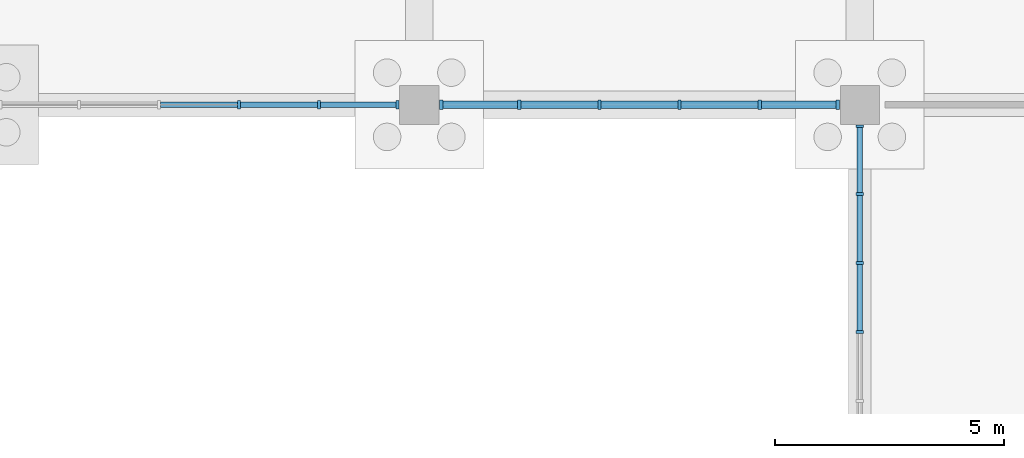
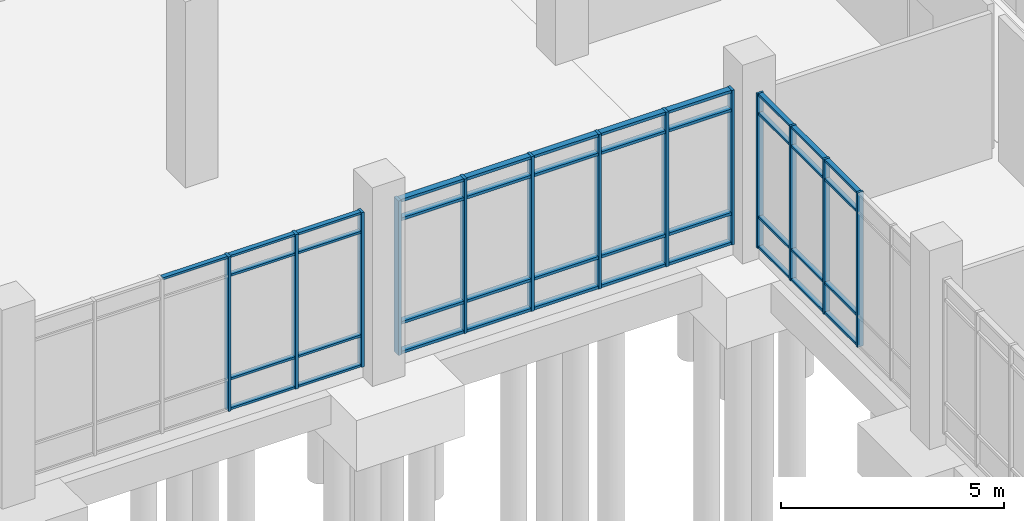
# One storey, part 44 of 136: 54 members, 3 elements without a shape of their own.
"""IFC4 building model written with IfcOpenShell, lengths in metres."""

from ifc_helpers import new_model, si_unit, direction, frame, origin, origin_2d, place, context, subcontext, project, spatial, rectangle, extrude, material, material_profile, profile_set, type_object, element, aggregate, save


model = new_model("IFC4")

# Units and contexts
model_context = context("Model", 3, precision=1e-05, world=origin(), true_north=direction((0.0, 1.0)))
body_context = subcontext(model_context, "Body", "Model", "MODEL_VIEW")
ifc_project = project(units=[si_unit("LENGTHUNIT", "METRE"), si_unit("AREAUNIT", "SQUARE_METRE"), si_unit("VOLUMEUNIT", "CUBIC_METRE"), si_unit("PLANEANGLEUNIT", "RADIAN"), si_unit("MASSUNIT", "GRAM", prefix="KILO")], contexts=[model_context])

# Site, building, storey
site_placement = place(None, origin())
site = spatial("IfcSite", under=ifc_project, at=site_placement, CompositionType="ELEMENT")
building_placement = place(site_placement, origin())
building = spatial("IfcBuilding", under=site, at=building_placement, Name="Oolite Switchyard Hospital", CompositionType="ELEMENT")
storey_placement = place(building_placement, origin())
storey = spatial("IfcBuildingStorey", under=building, at=storey_placement, Name="L00", CompositionType="ELEMENT", Elevation=0.0)

# Curtain wall, members
ifc_material_1 = material(Name="Thermally broken aluminum frame with laminated impact glazing", Category="aluminium")
curtain_wall_type_1 = type_object("IfcCurtainWallType", Name="CW-UNIT-84X51", PredefinedType="USERDEFINED", material=ifc_material_1)
curtain_wall_1_placement = place(storey_placement, origin())
curtain_wall_1 = element("IfcCurtainWall", 1, at=curtain_wall_1_placement, inside=storey, type_object=curtain_wall_type_1, Name="L00 Unitised Curtain Wall 72", ObjectType="UNITISED", PredefinedType="USERDEFINED")
ifc_material_2 = material(Name="Aluminium 6063-T6", Category="aluminium")
ifc_material_profile_1 = material_profile(ifc_material_2, rectangle(XDim=0.159912109375, YDim=0.06005859375, at=origin_2d()), Name="CWM60X160")
ifc_profile_set_1 = profile_set([ifc_material_profile_1], Name="Aluminium 6063-T6")
member_type_1 = type_object("IfcMemberType", Name="CW-MUL-180", PredefinedType="MULLION", material=ifc_profile_set_1)
member_1_placement = place(storey_placement, frame((115.199951171875, 79.048095703125, 0.0), z_axis=(0.0, 0.0, 1.0), x_axis=(-1.0, 0.0, 0.0)))
member_1 = element("IfcMember", 2, at=member_1_placement, type_object=member_type_1, Name="CW-06 mullion 3", PredefinedType="MULLION", context=body_context, shape_type="SweptSolid", body=[
    extrude(rectangle(XDim=0.159912109375, YDim=0.06005859375, at=origin_2d()), origin(), (0.0, 0.0, 1.0), 4.239990234375),
])
member_2_placement = place(storey_placement, frame((115.199951171875, 80.552001953125, 0.0), z_axis=(0.0, 0.0, 1.0), x_axis=(-1.0, 0.0, 0.0)))
member_2 = element("IfcMember", 3, at=member_2_placement, type_object=member_type_1, Name="CW-06 mullion 4", PredefinedType="MULLION", context=body_context, shape_type="SweptSolid", body=[
    extrude(rectangle(XDim=0.159912109375, YDim=0.06005859375, at=origin_2d()), origin(), (0.0, 0.0, 1.0), 4.239990234375),
])
member_3_placement = place(storey_placement, frame((115.199951171875, 82.055908203125, 0.0), z_axis=(0.0, 0.0, 1.0), x_axis=(-1.0, 0.0, 0.0)))
member_3 = element("IfcMember", 4, at=member_3_placement, type_object=member_type_1, Name="CW-06 mullion 5", PredefinedType="MULLION", context=body_context, shape_type="SweptSolid", body=[
    extrude(rectangle(XDim=0.159912109375, YDim=0.06005859375, at=origin_2d()), origin(), (0.0, 0.0, 1.0), 4.239990234375),
])
member_4_placement = place(storey_placement, frame((115.199951171875, 83.530029296875, 0.0), z_axis=(0.0, 0.0, 1.0), x_axis=(-1.0, 0.0, 0.0)))
member_4 = element("IfcMember", 5, at=member_4_placement, type_object=member_type_1, Name="CW-06 mullion 6", PredefinedType="MULLION", context=body_context, shape_type="SweptSolid", body=[
    extrude(rectangle(XDim=0.159912109375, YDim=0.06005859375, at=origin_2d()), origin(), (0.0, 0.0, 1.0), 4.239990234375),
])

curtain_wall_type_2 = type_object("IfcCurtainWallType", Name="CW-UNIT-96X51", PredefinedType="USERDEFINED", material=ifc_material_1)
curtain_wall_2_placement = place(storey_placement, origin())
curtain_wall_2 = element("IfcCurtainWall", 6, at=curtain_wall_2_placement, inside=storey, type_object=curtain_wall_type_2, Name="L00 Unitised Curtain Wall 34", ObjectType="UNITISED", PredefinedType="USERDEFINED")
ifc_material_profile_2 = material_profile(ifc_material_2, rectangle(XDim=0.179931640625, YDim=0.070068359375, at=origin_2d()), Name="CWM70X180")
ifc_profile_set_2 = profile_set([ifc_material_profile_2], Name="Aluminium 6063-T6")
member_type_2 = type_object("IfcMemberType", Name="CW-MUL-220", PredefinedType="MULLION", material=ifc_profile_set_2)
member_5_placement = place(storey_placement, frame((105.125, 84.0, 0.0), z_axis=(0.0, 0.0, 1.0), x_axis=(0.0, -1.0, 0.0)))
member_5 = element("IfcMember", 7, at=member_5_placement, type_object=member_type_2, Name="CW-01 mullion 1", PredefinedType="MULLION", context=body_context, shape_type="SweptSolid", body=[
    extrude(rectangle(XDim=0.179931640625, YDim=0.070068359375, at=origin_2d()), origin(), (0.0, 0.0, 1.0), 4.239990234375),
])
member_6_placement = place(storey_placement, frame((103.416015625, 84.0, 0.0), z_axis=(0.0, 0.0, 1.0), x_axis=(0.0, -1.0, 0.0)))
member_6 = element("IfcMember", 8, at=member_6_placement, type_object=member_type_2, Name="CW-01 mullion 2", PredefinedType="MULLION", context=body_context, shape_type="SweptSolid", body=[
    extrude(rectangle(XDim=0.179931640625, YDim=0.070068359375, at=origin_2d()), origin(), (0.0, 0.0, 1.0), 4.239990234375),
])
member_7_placement = place(storey_placement, frame((101.672119140625, 84.0, 0.0), z_axis=(0.0, 0.0, 1.0), x_axis=(0.0, -1.0, 0.0)))
member_7 = element("IfcMember", 9, at=member_7_placement, type_object=member_type_2, Name="CW-01 mullion 3", PredefinedType="MULLION", context=body_context, shape_type="SweptSolid", body=[
    extrude(rectangle(XDim=0.179931640625, YDim=0.070068359375, at=origin_2d()), origin(), (0.0, 0.0, 1.0), 4.239990234375),
])

curtain_wall_3_placement = place(storey_placement, origin())
curtain_wall_3 = element("IfcCurtainWall", 10, at=curtain_wall_3_placement, inside=storey, type_object=curtain_wall_type_2, Name="L00 Unitised Curtain Wall 35", ObjectType="UNITISED", PredefinedType="USERDEFINED")
ifc_material_profile_3 = material_profile(ifc_material_2, rectangle(XDim=0.199951171875, YDim=0.074951171875, at=origin_2d()), Name="CWM75X200")
ifc_profile_set_3 = profile_set([ifc_material_profile_3], Name="Aluminium 6063-T6")
member_type_3 = type_object("IfcMemberType", Name="CW-MUL-260", PredefinedType="MULLION", material=ifc_profile_set_3)
member_8_placement = place(storey_placement, frame((114.722412109375, 84.0, 0.0), z_axis=(0.0, 0.0, 1.0), x_axis=(0.0, -1.0, 0.0)))
member_8 = element("IfcMember", 11, at=member_8_placement, type_object=member_type_3, Name="CW-01 mullion 1", PredefinedType="MULLION", context=body_context, shape_type="SweptSolid", body=[
    extrude(rectangle(XDim=0.199951171875, YDim=0.074951171875, at=origin_2d()), origin(), (0.0, 0.0, 1.0), 4.239990234375),
])
member_9_placement = place(storey_placement, frame((113.01611328125, 84.0, 0.0), z_axis=(0.0, 0.0, 1.0), x_axis=(0.0, -1.0, 0.0)))
member_9 = element("IfcMember", 12, at=member_9_placement, type_object=member_type_3, Name="CW-01 mullion 2", PredefinedType="MULLION", context=body_context, shape_type="SweptSolid", body=[
    extrude(rectangle(XDim=0.199951171875, YDim=0.074951171875, at=origin_2d()), origin(), (0.0, 0.0, 1.0), 4.239990234375),
])
member_10_placement = place(storey_placement, frame((111.27197265625, 84.0, 0.0), z_axis=(0.0, 0.0, 1.0), x_axis=(0.0, -1.0, 0.0)))
member_10 = element("IfcMember", 13, at=member_10_placement, type_object=member_type_3, Name="CW-01 mullion 3", PredefinedType="MULLION", context=body_context, shape_type="SweptSolid", body=[
    extrude(rectangle(XDim=0.199951171875, YDim=0.074951171875, at=origin_2d()), origin(), (0.0, 0.0, 1.0), 4.239990234375),
])
member_11_placement = place(storey_placement, frame((109.528076171875, 84.0, 0.0), z_axis=(0.0, 0.0, 1.0), x_axis=(0.0, -1.0, 0.0)))
member_11 = element("IfcMember", 14, at=member_11_placement, type_object=member_type_3, Name="CW-01 mullion 4", PredefinedType="MULLION", context=body_context, shape_type="SweptSolid", body=[
    extrude(rectangle(XDim=0.199951171875, YDim=0.074951171875, at=origin_2d()), origin(), (0.0, 0.0, 1.0), 4.239990234375),
])
member_12_placement = place(storey_placement, frame((107.783935546875, 84.0, 0.0), z_axis=(0.0, 0.0, 1.0), x_axis=(0.0, -1.0, 0.0)))
member_12 = element("IfcMember", 15, at=member_12_placement, type_object=member_type_3, Name="CW-01 mullion 5", PredefinedType="MULLION", context=body_context, shape_type="SweptSolid", body=[
    extrude(rectangle(XDim=0.199951171875, YDim=0.074951171875, at=origin_2d()), origin(), (0.0, 0.0, 1.0), 4.239990234375),
])
member_13_placement = place(storey_placement, frame((106.077392578125, 84.0, 0.0), z_axis=(0.0, 0.0, 1.0), x_axis=(0.0, -1.0, 0.0)))
member_13 = element("IfcMember", 16, at=member_13_placement, type_object=member_type_3, Name="CW-01 mullion 6", PredefinedType="MULLION", context=body_context, shape_type="SweptSolid", body=[
    extrude(rectangle(XDim=0.199951171875, YDim=0.074951171875, at=origin_2d()), origin(), (0.0, 0.0, 1.0), 4.239990234375),
])

# Member
ifc_material_profile_4 = material_profile(ifc_material_2, rectangle(XDim=0.1201171875, YDim=0.06005859375, at=origin_2d()), Name="CWT60X120")
ifc_profile_set_4 = profile_set([ifc_material_profile_4], Name="Aluminium 6063-T6")
member_type_4 = type_object("IfcMemberType", Name="CW-TRN-150", PredefinedType="USERDEFINED", material=ifc_profile_set_4)
member_14_placement = place(storey_placement, frame((105.090087890625, 84.0, 0.030029296875), z_axis=(-1.0, 0.0, 0.0), x_axis=(0.0, -1.0, 0.0)))
member_14 = element("IfcMember", 17, at=member_14_placement, type_object=member_type_4, Name="CW-01 transom 1.1", ObjectType="TRANSOM", PredefinedType="USERDEFINED", context=body_context, shape_type="SweptSolid", body=[
    extrude(rectangle(XDim=0.1201171875, YDim=0.06005859375, at=origin_2d()), origin(), (0.0, 0.0, 1.0), 1.63916015625),
])

member_15_placement = place(storey_placement, frame((105.090087890625, 84.0, 0.85009765625), z_axis=(-1.0, 0.0, 0.0), x_axis=(0.0, -1.0, 0.0)))
member_15 = element("IfcMember", 18, at=member_15_placement, type_object=member_type_4, Name="CW-01 transom 1.2", ObjectType="TRANSOM", PredefinedType="USERDEFINED", context=body_context, shape_type="SweptSolid", body=[
    extrude(rectangle(XDim=0.1201171875, YDim=0.06005859375, at=origin_2d()), origin(), (0.0, 0.0, 1.0), 1.63916015625),
])

member_16_placement = place(storey_placement, frame((105.090087890625, 84.0, 3.68994140625), z_axis=(-1.0, 0.0, 0.0), x_axis=(0.0, -1.0, 0.0)))
member_16 = element("IfcMember", 19, at=member_16_placement, type_object=member_type_4, Name="CW-01 transom 1.3", ObjectType="TRANSOM", PredefinedType="USERDEFINED", context=body_context, shape_type="SweptSolid", body=[
    extrude(rectangle(XDim=0.1201171875, YDim=0.06005859375, at=origin_2d()), origin(), (0.0, 0.0, 1.0), 1.63916015625),
])

member_17_placement = place(storey_placement, frame((105.090087890625, 84.0, 4.2099609375), z_axis=(-1.0, 0.0, 0.0), x_axis=(0.0, -1.0, 0.0)))
member_17 = element("IfcMember", 20, at=member_17_placement, type_object=member_type_4, Name="CW-01 transom 1.4", ObjectType="TRANSOM", PredefinedType="USERDEFINED", context=body_context, shape_type="SweptSolid", body=[
    extrude(rectangle(XDim=0.1201171875, YDim=0.06005859375, at=origin_2d()), origin(), (0.0, 0.0, 1.0), 1.63916015625),
])

member_18_placement = place(storey_placement, frame((103.381103515625, 84.0, 0.030029296875), z_axis=(-1.0, 0.0, 0.0), x_axis=(0.0, -1.0, 0.0)))
member_18 = element("IfcMember", 21, at=member_18_placement, type_object=member_type_4, Name="CW-01 transom 2.1", ObjectType="TRANSOM", PredefinedType="USERDEFINED", context=body_context, shape_type="SweptSolid", body=[
    extrude(rectangle(XDim=0.1201171875, YDim=0.06005859375, at=origin_2d()), origin(), (0.0, 0.0, 1.0), 1.674072265625),
])

member_19_placement = place(storey_placement, frame((103.381103515625, 84.0, 0.85009765625), z_axis=(-1.0, 0.0, 0.0), x_axis=(0.0, -1.0, 0.0)))
member_19 = element("IfcMember", 22, at=member_19_placement, type_object=member_type_4, Name="CW-01 transom 2.2", ObjectType="TRANSOM", PredefinedType="USERDEFINED", context=body_context, shape_type="SweptSolid", body=[
    extrude(rectangle(XDim=0.1201171875, YDim=0.06005859375, at=origin_2d()), origin(), (0.0, 0.0, 1.0), 1.674072265625),
])

member_20_placement = place(storey_placement, frame((103.381103515625, 84.0, 3.68994140625), z_axis=(-1.0, 0.0, 0.0), x_axis=(0.0, -1.0, 0.0)))
member_20 = element("IfcMember", 23, at=member_20_placement, type_object=member_type_4, Name="CW-01 transom 2.3", ObjectType="TRANSOM", PredefinedType="USERDEFINED", context=body_context, shape_type="SweptSolid", body=[
    extrude(rectangle(XDim=0.1201171875, YDim=0.06005859375, at=origin_2d()), origin(), (0.0, 0.0, 1.0), 1.674072265625),
])

member_21_placement = place(storey_placement, frame((103.381103515625, 84.0, 4.2099609375), z_axis=(-1.0, 0.0, 0.0), x_axis=(0.0, -1.0, 0.0)))
member_21 = element("IfcMember", 24, at=member_21_placement, type_object=member_type_4, Name="CW-01 transom 2.4", ObjectType="TRANSOM", PredefinedType="USERDEFINED", context=body_context, shape_type="SweptSolid", body=[
    extrude(rectangle(XDim=0.1201171875, YDim=0.06005859375, at=origin_2d()), origin(), (0.0, 0.0, 1.0), 1.674072265625),
])

member_22_placement = place(storey_placement, frame((101.636962890625, 84.0, 4.2099609375), z_axis=(-1.0, 0.0, 0.0), x_axis=(0.0, -1.0, 0.0)))
member_22 = element("IfcMember", 25, at=member_22_placement, type_object=member_type_4, Name="CW-01 transom 3.4", ObjectType="TRANSOM", PredefinedType="USERDEFINED", context=body_context, shape_type="SweptSolid", body=[
    extrude(rectangle(XDim=0.1201171875, YDim=0.06005859375, at=origin_2d()), origin(), (0.0, 0.0, 1.0), 1.674072265625),
])

aggregate(curtain_wall_2, [member_5, member_6, member_7, member_14, member_15, member_16, member_17, member_18, member_19, member_20, member_21, member_22])

member_23_placement = place(storey_placement, frame((115.199951171875, 79.077880859375, 0.030029296875), z_axis=(0.0, 1.0, 0.0), x_axis=(-1.0, 0.0, 0.0)))
member_23 = element("IfcMember", 26, at=member_23_placement, type_object=member_type_4, Name="CW-06 transom 3.1", ObjectType="TRANSOM", PredefinedType="USERDEFINED", context=body_context, shape_type="SweptSolid", body=[
    extrude(rectangle(XDim=0.1201171875, YDim=0.06005859375, at=origin_2d()), origin(), (0.0, 0.0, 1.0), 1.444091796875),
])

member_24_placement = place(storey_placement, frame((115.199951171875, 79.077880859375, 0.85009765625), z_axis=(0.0, 1.0, 0.0), x_axis=(-1.0, 0.0, 0.0)))
member_24 = element("IfcMember", 27, at=member_24_placement, type_object=member_type_4, Name="CW-06 transom 3.2", ObjectType="TRANSOM", PredefinedType="USERDEFINED", context=body_context, shape_type="SweptSolid", body=[
    extrude(rectangle(XDim=0.1201171875, YDim=0.06005859375, at=origin_2d()), origin(), (0.0, 0.0, 1.0), 1.444091796875),
])

member_25_placement = place(storey_placement, frame((115.199951171875, 79.077880859375, 3.68994140625), z_axis=(0.0, 1.0, 0.0), x_axis=(-1.0, 0.0, 0.0)))
member_25 = element("IfcMember", 28, at=member_25_placement, type_object=member_type_4, Name="CW-06 transom 3.3", ObjectType="TRANSOM", PredefinedType="USERDEFINED", context=body_context, shape_type="SweptSolid", body=[
    extrude(rectangle(XDim=0.1201171875, YDim=0.06005859375, at=origin_2d()), origin(), (0.0, 0.0, 1.0), 1.444091796875),
])

member_26_placement = place(storey_placement, frame((115.199951171875, 79.077880859375, 4.2099609375), z_axis=(0.0, 1.0, 0.0), x_axis=(-1.0, 0.0, 0.0)))
member_26 = element("IfcMember", 29, at=member_26_placement, type_object=member_type_4, Name="CW-06 transom 3.4", ObjectType="TRANSOM", PredefinedType="USERDEFINED", context=body_context, shape_type="SweptSolid", body=[
    extrude(rectangle(XDim=0.1201171875, YDim=0.06005859375, at=origin_2d()), origin(), (0.0, 0.0, 1.0), 1.444091796875),
])

member_27_placement = place(storey_placement, frame((115.199951171875, 80.58203125, 0.030029296875), z_axis=(0.0, 1.0, 0.0), x_axis=(-1.0, 0.0, 0.0)))
member_27 = element("IfcMember", 30, at=member_27_placement, type_object=member_type_4, Name="CW-06 transom 4.1", ObjectType="TRANSOM", PredefinedType="USERDEFINED", context=body_context, shape_type="SweptSolid", body=[
    extrude(rectangle(XDim=0.1201171875, YDim=0.06005859375, at=origin_2d()), origin(), (0.0, 0.0, 1.0), 1.44384765625),
])

member_28_placement = place(storey_placement, frame((115.199951171875, 80.58203125, 0.85009765625), z_axis=(0.0, 1.0, 0.0), x_axis=(-1.0, 0.0, 0.0)))
member_28 = element("IfcMember", 31, at=member_28_placement, type_object=member_type_4, Name="CW-06 transom 4.2", ObjectType="TRANSOM", PredefinedType="USERDEFINED", context=body_context, shape_type="SweptSolid", body=[
    extrude(rectangle(XDim=0.1201171875, YDim=0.06005859375, at=origin_2d()), origin(), (0.0, 0.0, 1.0), 1.44384765625),
])

member_29_placement = place(storey_placement, frame((115.199951171875, 80.58203125, 3.68994140625), z_axis=(0.0, 1.0, 0.0), x_axis=(-1.0, 0.0, 0.0)))
member_29 = element("IfcMember", 32, at=member_29_placement, type_object=member_type_4, Name="CW-06 transom 4.3", ObjectType="TRANSOM", PredefinedType="USERDEFINED", context=body_context, shape_type="SweptSolid", body=[
    extrude(rectangle(XDim=0.1201171875, YDim=0.06005859375, at=origin_2d()), origin(), (0.0, 0.0, 1.0), 1.44384765625),
])

member_30_placement = place(storey_placement, frame((115.199951171875, 80.58203125, 4.2099609375), z_axis=(0.0, 1.0, 0.0), x_axis=(-1.0, 0.0, 0.0)))
member_30 = element("IfcMember", 33, at=member_30_placement, type_object=member_type_4, Name="CW-06 transom 4.4", ObjectType="TRANSOM", PredefinedType="USERDEFINED", context=body_context, shape_type="SweptSolid", body=[
    extrude(rectangle(XDim=0.1201171875, YDim=0.06005859375, at=origin_2d()), origin(), (0.0, 0.0, 1.0), 1.44384765625),
])

member_31_placement = place(storey_placement, frame((115.199951171875, 82.0859375, 0.030029296875), z_axis=(0.0, 1.0, 0.0), x_axis=(-1.0, 0.0, 0.0)))
member_31 = element("IfcMember", 34, at=member_31_placement, type_object=member_type_4, Name="CW-06 transom 5.1", ObjectType="TRANSOM", PredefinedType="USERDEFINED", context=body_context, shape_type="SweptSolid", body=[
    extrude(rectangle(XDim=0.1201171875, YDim=0.06005859375, at=origin_2d()), origin(), (0.0, 0.0, 1.0), 1.4140625),
])

member_32_placement = place(storey_placement, frame((115.199951171875, 82.0859375, 0.85009765625), z_axis=(0.0, 1.0, 0.0), x_axis=(-1.0, 0.0, 0.0)))
member_32 = element("IfcMember", 35, at=member_32_placement, type_object=member_type_4, Name="CW-06 transom 5.2", ObjectType="TRANSOM", PredefinedType="USERDEFINED", context=body_context, shape_type="SweptSolid", body=[
    extrude(rectangle(XDim=0.1201171875, YDim=0.06005859375, at=origin_2d()), origin(), (0.0, 0.0, 1.0), 1.4140625),
])

member_33_placement = place(storey_placement, frame((115.199951171875, 82.0859375, 3.68994140625), z_axis=(0.0, 1.0, 0.0), x_axis=(-1.0, 0.0, 0.0)))
member_33 = element("IfcMember", 36, at=member_33_placement, type_object=member_type_4, Name="CW-06 transom 5.3", ObjectType="TRANSOM", PredefinedType="USERDEFINED", context=body_context, shape_type="SweptSolid", body=[
    extrude(rectangle(XDim=0.1201171875, YDim=0.06005859375, at=origin_2d()), origin(), (0.0, 0.0, 1.0), 1.4140625),
])

member_34_placement = place(storey_placement, frame((115.199951171875, 82.0859375, 4.2099609375), z_axis=(0.0, 1.0, 0.0), x_axis=(-1.0, 0.0, 0.0)))
member_34 = element("IfcMember", 37, at=member_34_placement, type_object=member_type_4, Name="CW-06 transom 5.4", ObjectType="TRANSOM", PredefinedType="USERDEFINED", context=body_context, shape_type="SweptSolid", body=[
    extrude(rectangle(XDim=0.1201171875, YDim=0.06005859375, at=origin_2d()), origin(), (0.0, 0.0, 1.0), 1.4140625),
])

aggregate(curtain_wall_1, [member_1, member_2, member_3, member_4, member_23, member_24, member_25, member_26, member_27, member_28, member_29, member_30, member_31, member_32, member_33, member_34])

ifc_material_profile_5 = material_profile(ifc_material_2, rectangle(XDim=0.159912109375, YDim=0.074951171875, at=origin_2d()), Name="CWT75X160")
ifc_profile_set_5 = profile_set([ifc_material_profile_5], Name="Aluminium 6063-T6")
member_type_5 = type_object("IfcMemberType", Name="CW-TRN-180", PredefinedType="USERDEFINED", material=ifc_profile_set_5)
member_35_placement = place(storey_placement, frame((114.68505859375, 84.0, 0.03759765625), z_axis=(-1.0, 0.0, 0.0), x_axis=(0.0, -1.0, 0.0)))
member_35 = element("IfcMember", 38, at=member_35_placement, type_object=member_type_5, Name="CW-01 transom 1.1", ObjectType="TRANSOM", PredefinedType="USERDEFINED", context=body_context, shape_type="SweptSolid", body=[
    extrude(rectangle(XDim=0.159912109375, YDim=0.074951171875, at=origin_2d()), origin(), (0.0, 0.0, 1.0), 1.631591796875),
])

member_36_placement = place(storey_placement, frame((114.68505859375, 84.0, 0.85009765625), z_axis=(-1.0, 0.0, 0.0), x_axis=(0.0, -1.0, 0.0)))
member_36 = element("IfcMember", 39, at=member_36_placement, type_object=member_type_5, Name="CW-01 transom 1.2", ObjectType="TRANSOM", PredefinedType="USERDEFINED", context=body_context, shape_type="SweptSolid", body=[
    extrude(rectangle(XDim=0.159912109375, YDim=0.074951171875, at=origin_2d()), origin(), (0.0, 0.0, 1.0), 1.631591796875),
])

member_37_placement = place(storey_placement, frame((114.68505859375, 84.0, 3.68994140625), z_axis=(-1.0, 0.0, 0.0), x_axis=(0.0, -1.0, 0.0)))
member_37 = element("IfcMember", 40, at=member_37_placement, type_object=member_type_5, Name="CW-01 transom 1.3", ObjectType="TRANSOM", PredefinedType="USERDEFINED", context=body_context, shape_type="SweptSolid", body=[
    extrude(rectangle(XDim=0.159912109375, YDim=0.074951171875, at=origin_2d()), origin(), (0.0, 0.0, 1.0), 1.631591796875),
])

member_38_placement = place(storey_placement, frame((114.68505859375, 84.0, 4.202392578125), z_axis=(-1.0, 0.0, 0.0), x_axis=(0.0, -1.0, 0.0)))
member_38 = element("IfcMember", 41, at=member_38_placement, type_object=member_type_5, Name="CW-01 transom 1.4", ObjectType="TRANSOM", PredefinedType="USERDEFINED", context=body_context, shape_type="SweptSolid", body=[
    extrude(rectangle(XDim=0.159912109375, YDim=0.074951171875, at=origin_2d()), origin(), (0.0, 0.0, 1.0), 1.631591796875),
])

member_39_placement = place(storey_placement, frame((112.978515625, 84.0, 0.03759765625), z_axis=(-1.0, 0.0, 0.0), x_axis=(0.0, -1.0, 0.0)))
member_39 = element("IfcMember", 42, at=member_39_placement, type_object=member_type_5, Name="CW-01 transom 2.1", ObjectType="TRANSOM", PredefinedType="USERDEFINED", context=body_context, shape_type="SweptSolid", body=[
    extrude(rectangle(XDim=0.159912109375, YDim=0.074951171875, at=origin_2d()), origin(), (0.0, 0.0, 1.0), 1.6689453125),
])

member_40_placement = place(storey_placement, frame((112.978515625, 84.0, 0.85009765625), z_axis=(-1.0, 0.0, 0.0), x_axis=(0.0, -1.0, 0.0)))
member_40 = element("IfcMember", 43, at=member_40_placement, type_object=member_type_5, Name="CW-01 transom 2.2", ObjectType="TRANSOM", PredefinedType="USERDEFINED", context=body_context, shape_type="SweptSolid", body=[
    extrude(rectangle(XDim=0.159912109375, YDim=0.074951171875, at=origin_2d()), origin(), (0.0, 0.0, 1.0), 1.6689453125),
])

member_41_placement = place(storey_placement, frame((112.978515625, 84.0, 3.68994140625), z_axis=(-1.0, 0.0, 0.0), x_axis=(0.0, -1.0, 0.0)))
member_41 = element("IfcMember", 44, at=member_41_placement, type_object=member_type_5, Name="CW-01 transom 2.3", ObjectType="TRANSOM", PredefinedType="USERDEFINED", context=body_context, shape_type="SweptSolid", body=[
    extrude(rectangle(XDim=0.159912109375, YDim=0.074951171875, at=origin_2d()), origin(), (0.0, 0.0, 1.0), 1.6689453125),
])

member_42_placement = place(storey_placement, frame((112.978515625, 84.0, 4.202392578125), z_axis=(-1.0, 0.0, 0.0), x_axis=(0.0, -1.0, 0.0)))
member_42 = element("IfcMember", 45, at=member_42_placement, type_object=member_type_5, Name="CW-01 transom 2.4", ObjectType="TRANSOM", PredefinedType="USERDEFINED", context=body_context, shape_type="SweptSolid", body=[
    extrude(rectangle(XDim=0.159912109375, YDim=0.074951171875, at=origin_2d()), origin(), (0.0, 0.0, 1.0), 1.6689453125),
])

member_43_placement = place(storey_placement, frame((111.234619140625, 84.0, 0.03759765625), z_axis=(-1.0, 0.0, 0.0), x_axis=(0.0, -1.0, 0.0)))
member_43 = element("IfcMember", 46, at=member_43_placement, type_object=member_type_5, Name="CW-01 transom 3.1", ObjectType="TRANSOM", PredefinedType="USERDEFINED", context=body_context, shape_type="SweptSolid", body=[
    extrude(rectangle(XDim=0.159912109375, YDim=0.074951171875, at=origin_2d()), origin(), (0.0, 0.0, 1.0), 1.669189453125),
])

member_44_placement = place(storey_placement, frame((111.234619140625, 84.0, 0.85009765625), z_axis=(-1.0, 0.0, 0.0), x_axis=(0.0, -1.0, 0.0)))
member_44 = element("IfcMember", 47, at=member_44_placement, type_object=member_type_5, Name="CW-01 transom 3.2", ObjectType="TRANSOM", PredefinedType="USERDEFINED", context=body_context, shape_type="SweptSolid", body=[
    extrude(rectangle(XDim=0.159912109375, YDim=0.074951171875, at=origin_2d()), origin(), (0.0, 0.0, 1.0), 1.669189453125),
])

member_45_placement = place(storey_placement, frame((111.234619140625, 84.0, 3.68994140625), z_axis=(-1.0, 0.0, 0.0), x_axis=(0.0, -1.0, 0.0)))
member_45 = element("IfcMember", 48, at=member_45_placement, type_object=member_type_5, Name="CW-01 transom 3.3", ObjectType="TRANSOM", PredefinedType="USERDEFINED", context=body_context, shape_type="SweptSolid", body=[
    extrude(rectangle(XDim=0.159912109375, YDim=0.074951171875, at=origin_2d()), origin(), (0.0, 0.0, 1.0), 1.669189453125),
])

member_46_placement = place(storey_placement, frame((111.234619140625, 84.0, 4.202392578125), z_axis=(-1.0, 0.0, 0.0), x_axis=(0.0, -1.0, 0.0)))
member_46 = element("IfcMember", 49, at=member_46_placement, type_object=member_type_5, Name="CW-01 transom 3.4", ObjectType="TRANSOM", PredefinedType="USERDEFINED", context=body_context, shape_type="SweptSolid", body=[
    extrude(rectangle(XDim=0.159912109375, YDim=0.074951171875, at=origin_2d()), origin(), (0.0, 0.0, 1.0), 1.669189453125),
])

member_47_placement = place(storey_placement, frame((109.490478515625, 84.0, 0.03759765625), z_axis=(-1.0, 0.0, 0.0), x_axis=(0.0, -1.0, 0.0)))
member_47 = element("IfcMember", 50, at=member_47_placement, type_object=member_type_5, Name="CW-01 transom 4.1", ObjectType="TRANSOM", PredefinedType="USERDEFINED", context=body_context, shape_type="SweptSolid", body=[
    extrude(rectangle(XDim=0.159912109375, YDim=0.074951171875, at=origin_2d()), origin(), (0.0, 0.0, 1.0), 1.6689453125),
])

member_48_placement = place(storey_placement, frame((109.490478515625, 84.0, 0.85009765625), z_axis=(-1.0, 0.0, 0.0), x_axis=(0.0, -1.0, 0.0)))
member_48 = element("IfcMember", 51, at=member_48_placement, type_object=member_type_5, Name="CW-01 transom 4.2", ObjectType="TRANSOM", PredefinedType="USERDEFINED", context=body_context, shape_type="SweptSolid", body=[
    extrude(rectangle(XDim=0.159912109375, YDim=0.074951171875, at=origin_2d()), origin(), (0.0, 0.0, 1.0), 1.6689453125),
])

member_49_placement = place(storey_placement, frame((109.490478515625, 84.0, 3.68994140625), z_axis=(-1.0, 0.0, 0.0), x_axis=(0.0, -1.0, 0.0)))
member_49 = element("IfcMember", 52, at=member_49_placement, type_object=member_type_5, Name="CW-01 transom 4.3", ObjectType="TRANSOM", PredefinedType="USERDEFINED", context=body_context, shape_type="SweptSolid", body=[
    extrude(rectangle(XDim=0.159912109375, YDim=0.074951171875, at=origin_2d()), origin(), (0.0, 0.0, 1.0), 1.6689453125),
])

member_50_placement = place(storey_placement, frame((109.490478515625, 84.0, 4.202392578125), z_axis=(-1.0, 0.0, 0.0), x_axis=(0.0, -1.0, 0.0)))
member_50 = element("IfcMember", 53, at=member_50_placement, type_object=member_type_5, Name="CW-01 transom 4.4", ObjectType="TRANSOM", PredefinedType="USERDEFINED", context=body_context, shape_type="SweptSolid", body=[
    extrude(rectangle(XDim=0.159912109375, YDim=0.074951171875, at=origin_2d()), origin(), (0.0, 0.0, 1.0), 1.6689453125),
])

member_51_placement = place(storey_placement, frame((107.74658203125, 84.0, 0.03759765625), z_axis=(-1.0, 0.0, 0.0), x_axis=(0.0, -1.0, 0.0)))
member_51 = element("IfcMember", 54, at=member_51_placement, type_object=member_type_5, Name="CW-01 transom 5.1", ObjectType="TRANSOM", PredefinedType="USERDEFINED", context=body_context, shape_type="SweptSolid", body=[
    extrude(rectangle(XDim=0.159912109375, YDim=0.074951171875, at=origin_2d()), origin(), (0.0, 0.0, 1.0), 1.631591796875),
])

member_52_placement = place(storey_placement, frame((107.74658203125, 84.0, 0.85009765625), z_axis=(-1.0, 0.0, 0.0), x_axis=(0.0, -1.0, 0.0)))
member_52 = element("IfcMember", 55, at=member_52_placement, type_object=member_type_5, Name="CW-01 transom 5.2", ObjectType="TRANSOM", PredefinedType="USERDEFINED", context=body_context, shape_type="SweptSolid", body=[
    extrude(rectangle(XDim=0.159912109375, YDim=0.074951171875, at=origin_2d()), origin(), (0.0, 0.0, 1.0), 1.631591796875),
])

member_53_placement = place(storey_placement, frame((107.74658203125, 84.0, 3.68994140625), z_axis=(-1.0, 0.0, 0.0), x_axis=(0.0, -1.0, 0.0)))
member_53 = element("IfcMember", 56, at=member_53_placement, type_object=member_type_5, Name="CW-01 transom 5.3", ObjectType="TRANSOM", PredefinedType="USERDEFINED", context=body_context, shape_type="SweptSolid", body=[
    extrude(rectangle(XDim=0.159912109375, YDim=0.074951171875, at=origin_2d()), origin(), (0.0, 0.0, 1.0), 1.631591796875),
])

member_54_placement = place(storey_placement, frame((107.74658203125, 84.0, 4.202392578125), z_axis=(-1.0, 0.0, 0.0), x_axis=(0.0, -1.0, 0.0)))
member_54 = element("IfcMember", 57, at=member_54_placement, type_object=member_type_5, Name="CW-01 transom 5.4", ObjectType="TRANSOM", PredefinedType="USERDEFINED", context=body_context, shape_type="SweptSolid", body=[
    extrude(rectangle(XDim=0.159912109375, YDim=0.074951171875, at=origin_2d()), origin(), (0.0, 0.0, 1.0), 1.631591796875),
])

aggregate(curtain_wall_3, [member_8, member_9, member_10, member_11, member_12, member_13, member_35, member_36, member_37, member_38, member_39, member_40, member_41, member_42, member_43, member_44, member_45, member_46, member_47, member_48, member_49, member_50, member_51, member_52, member_53, member_54])

save(model, "model.ifc")
